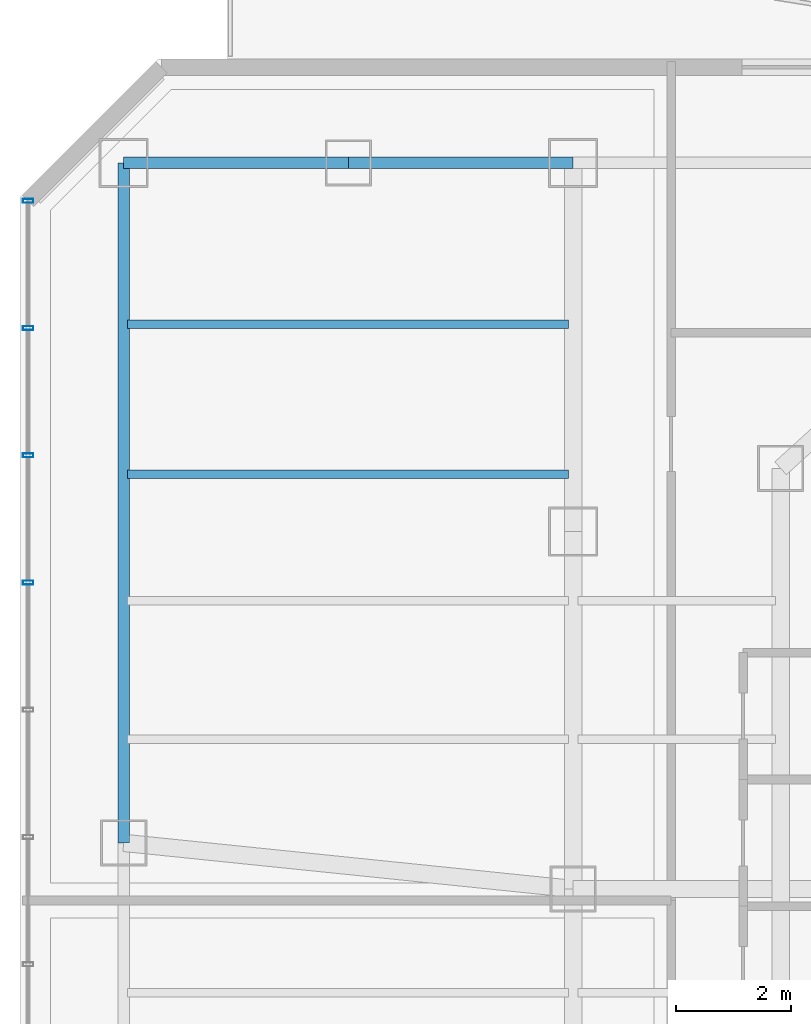
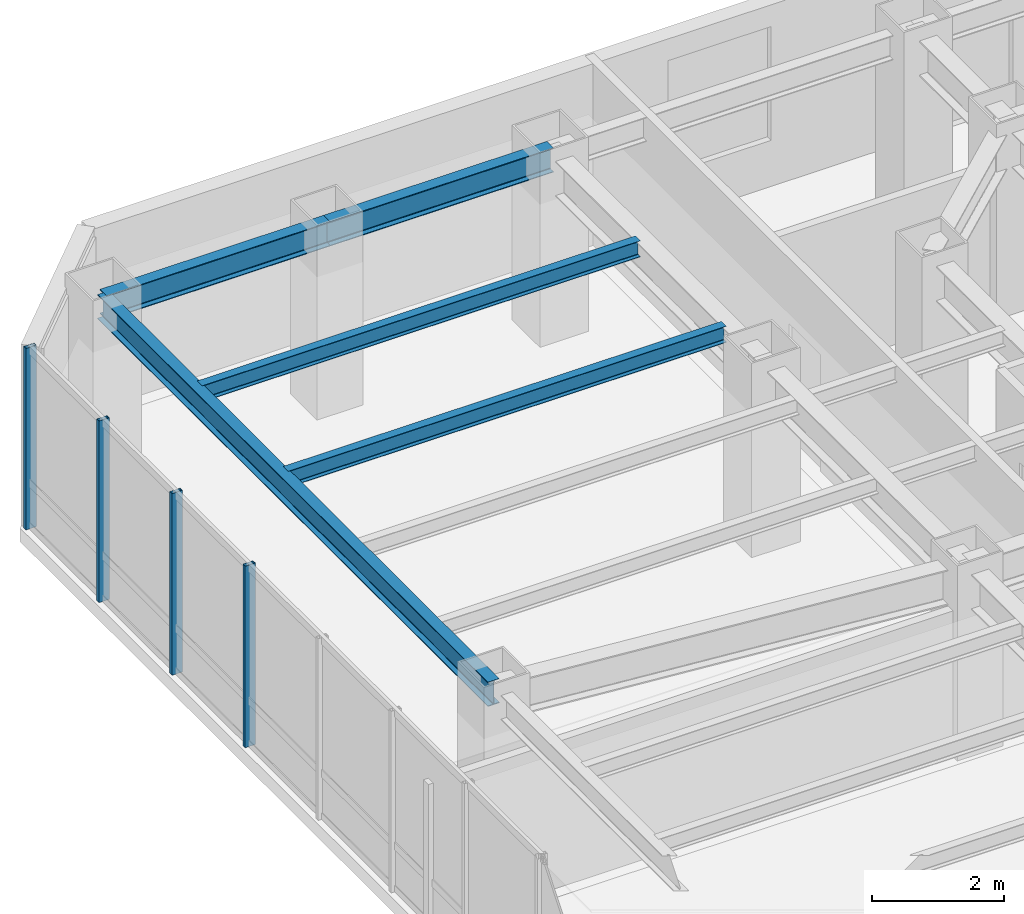
# One storey, part 17 of 27: 5 beams, 4 members, 1 element without a shape of its own.
"""IFC4 building model written with IfcOpenShell, lengths in metres."""

from ifc_helpers import new_model, si_unit, direction, frame, origin, origin_2d, place, context, subcontext, project, spatial, hollow_rectangle, i_section, extrude, material, layer, layer_set, material_profile, profile_set, type_object, element, aggregate, save


model = new_model("IFC4")

# Units and contexts
model_context = context("Model", 3, precision=1e-05, world=origin(), true_north=direction((0.0, 1.0)))
body_context = subcontext(model_context, "Body", "Model", "MODEL_VIEW")
ifc_project = project(units=[si_unit("LENGTHUNIT", "METRE"), si_unit("AREAUNIT", "SQUARE_METRE"), si_unit("VOLUMEUNIT", "CUBIC_METRE"), si_unit("PLANEANGLEUNIT", "RADIAN"), si_unit("MASSUNIT", "GRAM", prefix="KILO")], contexts=[model_context])

# Site, building, storey
site_placement = place(None, origin())
site = spatial("IfcSite", under=ifc_project, at=site_placement, CompositionType="ELEMENT")
building_placement = place(site_placement, origin())
building = spatial("IfcBuilding", under=site, at=building_placement, Name="Hatsunagi Terrace Concourse", CompositionType="ELEMENT")
storey_placement = place(building_placement, frame((0.0, 0.0, 156.449951171875)))
storey = spatial("IfcBuildingStorey", under=building, at=storey_placement, Name="L41", CompositionType="ELEMENT", Elevation=156.449951171875)

# Curtain wall, members
ifc_material_1 = material(Name="Anodised Aluminium Alloy 6063-T5", Category="aluminium")
ifc_layer = layer(ifc_material_1, 0.199951171875)
ifc_layer_set = layer_set([ifc_layer], Name="OfficeZone1_CW03")
curtain_wall_type = type_object("IfcCurtainWallType", Name="OfficeZone1_CW03", PredefinedType="NOTDEFINED", material=ifc_layer_set)
curtain_wall_placement = place(storey_placement, origin())
curtain_wall = element("IfcCurtainWall", 1, at=curtain_wall_placement, inside=storey, type_object=curtain_wall_type, Name="Unitised Curtain Wall CW-03 CW-L41-09", PredefinedType="NOTDEFINED")
ifc_material_2 = material(Name="Anodised Aluminium Alloy 6063-T5", Category="aluminium")
ifc_material_profile_1 = material_profile(ifc_material_2, hollow_rectangle(XDim=0.070068359375, YDim=0.179931640625, WallThickness=0.00390625, at=origin_2d()), Name="ALU-MUL-180x70x4")
ifc_profile_set_1 = profile_set([ifc_material_profile_1], Name="Anodised Aluminium Alloy 6063-T5")
member_type = type_object("IfcMemberType", Name="CurtainWallMullion_180x70", PredefinedType="MULLION", material=ifc_profile_set_1)
member_1_placement = place(storey_placement, frame((9.739990234375, 41.31689453125, 0.0), z_axis=(0.0, 0.0, 1.0), x_axis=(0.0, 1.0, 0.0)))
member_1 = element("IfcMember", 2, at=member_1_placement, type_object=member_type, Name="Curtain Wall Mullion MUL-02", PredefinedType="MULLION", context=body_context, shape_type="SweptSolid", body=[
    extrude(hollow_rectangle(XDim=0.070068359375, YDim=0.179931640625, WallThickness=0.00390625, at=origin_2d()), origin(), (0.0, 0.0, 1.0), 3.35009765625),
])
member_2_placement = place(storey_placement, frame((9.739990234375, 43.52490234375, 0.0), z_axis=(0.0, 0.0, 1.0), x_axis=(0.0, 1.0, 0.0)))
member_2 = element("IfcMember", 3, at=member_2_placement, type_object=member_type, Name="Curtain Wall Mullion MUL-02", PredefinedType="MULLION", context=body_context, shape_type="SweptSolid", body=[
    extrude(hollow_rectangle(XDim=0.070068359375, YDim=0.179931640625, WallThickness=0.00390625, at=origin_2d()), origin(), (0.0, 0.0, 1.0), 3.35009765625),
])
member_3_placement = place(storey_placement, frame((9.739990234375, 45.73388671875, 0.0), z_axis=(0.0, 0.0, 1.0), x_axis=(0.0, 1.0, 0.0)))
member_3 = element("IfcMember", 4, at=member_3_placement, type_object=member_type, Name="Curtain Wall Mullion MUL-02", PredefinedType="MULLION", context=body_context, shape_type="SweptSolid", body=[
    extrude(hollow_rectangle(XDim=0.070068359375, YDim=0.179931640625, WallThickness=0.00390625, at=origin_2d()), origin(), (0.0, 0.0, 1.0), 3.35009765625),
])
member_4_placement = place(storey_placement, frame((9.739990234375, 47.94189453125, 0.0), z_axis=(0.0, 0.0, 1.0), x_axis=(0.0, 1.0, 0.0)))
member_4 = element("IfcMember", 5, at=member_4_placement, type_object=member_type, Name="Curtain Wall Mullion MUL-02", PredefinedType="MULLION", context=body_context, shape_type="SweptSolid", body=[
    extrude(hollow_rectangle(XDim=0.070068359375, YDim=0.179931640625, WallThickness=0.00390625, at=origin_2d()), origin(), (0.0, 0.0, 1.0), 3.35009765625),
])
aggregate(curtain_wall, [member_1, member_2, member_3, member_4])

# Beams
ifc_material_3 = material(Name="Steel SN490B", Category="steel")
ifc_material_profile_2 = material_profile(ifc_material_3, i_section(OverallWidth=0.14990234375, OverallDepth=0.300048828125, WebThickness=0.006591796875, FlangeThickness=0.009033203125, FilletRadius=0.010986328125, at=origin_2d()), Name="H-300x150x6.5x9")
ifc_profile_set_2 = profile_set([ifc_material_profile_2], Name="Steel SN490B")
beam_type_1 = type_object("IfcBeamType", Name="OfficeJoist_H_300x150", PredefinedType="JOIST", material=ifc_profile_set_2)
for number, where, z_axis, x_axis, name in (
    (6, (11.465087890625, 43.199951171875, 3.199951171875), (1.0, 0.0, 0.0), (0.0, 1.0, 0.0), "Beam J-03 J-L41-W-11-432"),
    (7, (11.465087890625, 45.800048828125, 3.199951171875), (1.0, 0.0, 0.0), (0.0, 1.0, 0.0), "Beam J-03 J-L41-W-11-458"),
):
    element("IfcBeam", number, at=place(storey_placement, frame(where, z_axis=z_axis, x_axis=x_axis)), inside=storey, type_object=beam_type_1, Name=name, PredefinedType="JOIST", context=body_context, shape_type="SweptSolid", body=[
        extrude(i_section(OverallWidth=0.14990234375, OverallDepth=0.300048828125, WebThickness=0.006591796875, FlangeThickness=0.009033203125, FilletRadius=0.010986328125, at=origin_2d()), origin(), (0.0, 0.0, 1.0), 7.64990234375),
    ])
ifc_material_4 = material(Name="Steel SN490B", Category="steel")
ifc_material_profile_3 = material_profile(ifc_material_4, i_section(OverallWidth=0.199951171875, OverallDepth=0.449951171875, WebThickness=0.009033203125, FlangeThickness=0.013916015625, FilletRadius=0.01611328125, at=origin_2d()), Name="H-450x200x9x14")
ifc_profile_set_3 = profile_set([ifc_material_profile_3], Name="Steel SN490B")
beam_type_2 = type_object("IfcBeamType", Name="PerimeterSpandrel_H_450x200", PredefinedType="SPANDREL", material=ifc_profile_set_3)
beam_1_placement = place(storey_placement, frame((11.39990234375, 48.60009765625, 3.125), z_axis=(1.0, 0.0, 0.0), x_axis=(0.0, 1.0, 0.0)))
element("IfcBeam", 8, at=beam_1_placement, inside=storey, type_object=beam_type_2, Name="Beam SP-02 BM-L41-WN-11", PredefinedType="SPANDREL", context=body_context, shape_type="SweptSolid", body=[
    extrude(i_section(OverallWidth=0.199951171875, OverallDepth=0.449951171875, WebThickness=0.009033203125, FlangeThickness=0.013916015625, FilletRadius=0.01611328125, at=origin_2d()), origin(), (0.0, 0.0, 1.0), 3.900146484375),
])
beam_2_placement = place(storey_placement, frame((15.300048828125, 48.60009765625, 3.125), z_axis=(1.0, 0.0, 0.0), x_axis=(0.0, 1.0, 0.0)))
element("IfcBeam", 9, at=beam_2_placement, inside=storey, type_object=beam_type_2, Name="Beam SP-02 BM-L41-WN-15", PredefinedType="SPANDREL", context=body_context, shape_type="SweptSolid", body=[
    extrude(i_section(OverallWidth=0.199951171875, OverallDepth=0.449951171875, WebThickness=0.009033203125, FlangeThickness=0.013916015625, FilletRadius=0.01611328125, at=origin_2d()), origin(), (0.0, 0.0, 1.0), 3.89990234375),
])
beam_3_placement = place(storey_placement, frame((11.39990234375, 36.800048828125, 3.125), z_axis=(0.0, 1.0, 0.0), x_axis=(-1.0, 0.0, 0.0)))
element("IfcBeam", 10, at=beam_3_placement, inside=storey, type_object=beam_type_2, Name="Beam SP-02 BM-L41-NS-11-36", PredefinedType="SPANDREL", context=body_context, shape_type="SweptSolid", body=[
    extrude(i_section(OverallWidth=0.199951171875, OverallDepth=0.449951171875, WebThickness=0.009033203125, FlangeThickness=0.013916015625, FilletRadius=0.01611328125, at=origin_2d()), origin(), (0.0, 0.0, 1.0), 11.800048828125),
])

save(model, "model.ifc")
